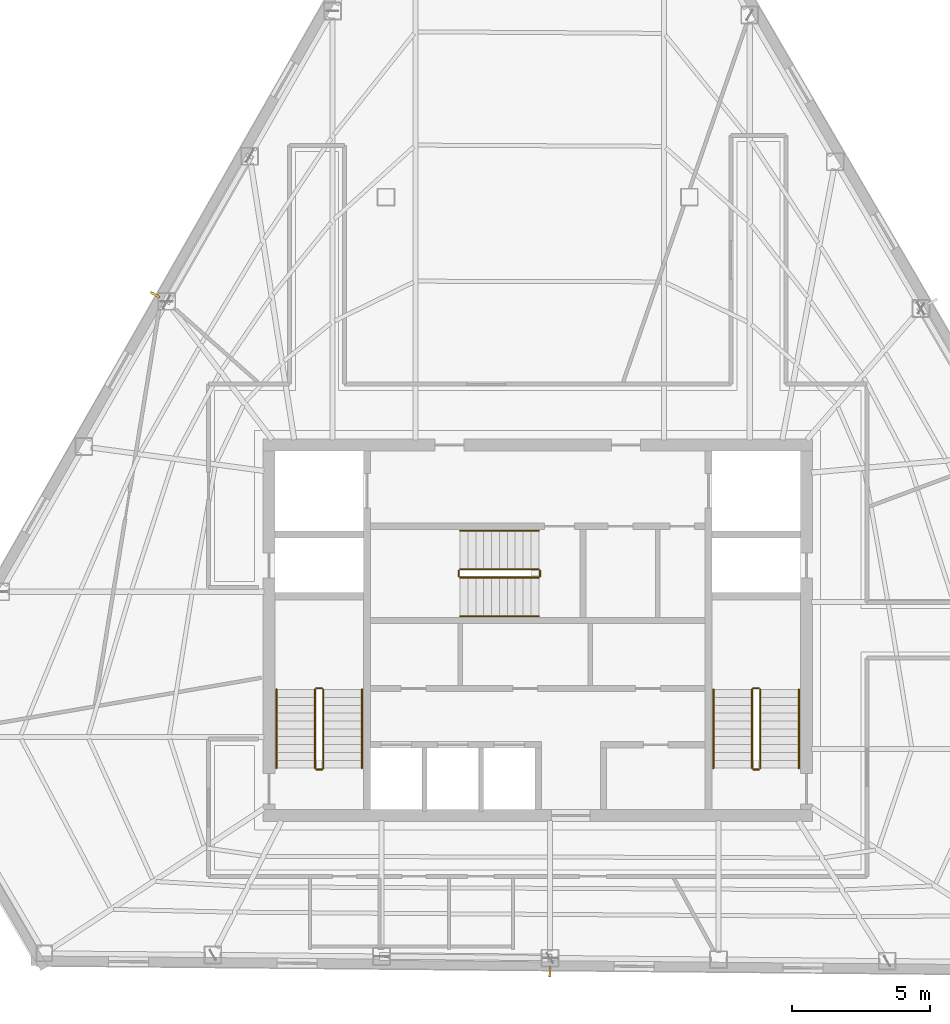
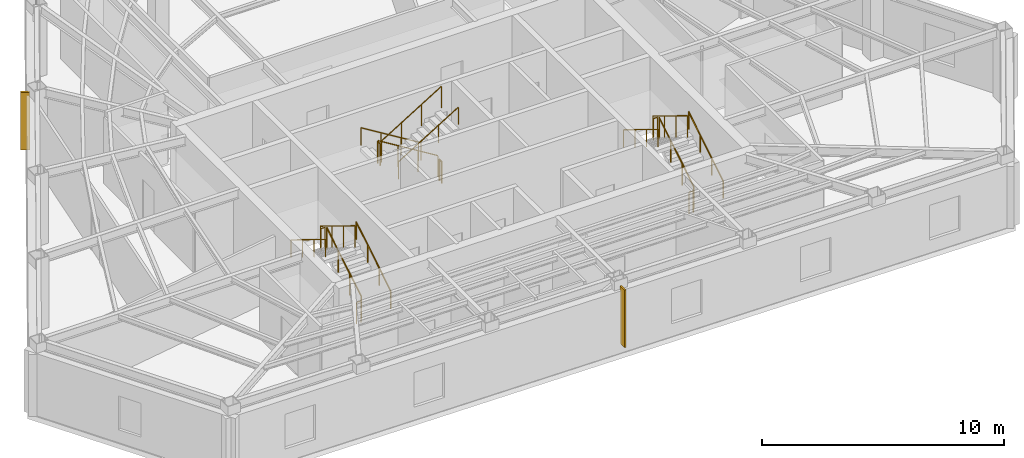
# One storey, part 10 of 11: 18 railings, 2 shading devices.
"""IFC4 building model written with IfcOpenShell, lengths in metres."""

from ifc_helpers import new_model, si_unit, direction, frame, origin, origin_2d, place, context, subcontext, project, spatial, rectangle, circle, extrude, material, layer, layer_set, type_object, element, save


model = new_model("IFC4")

# Units and contexts
model_context = context("Model", 3, precision=1e-05, world=origin(), true_north=direction((0.0, 1.0)))
body_context = subcontext(model_context, "Body", "Model", "MODEL_VIEW")
ifc_project = project(units=[si_unit("LENGTHUNIT", "METRE"), si_unit("AREAUNIT", "SQUARE_METRE"), si_unit("VOLUMEUNIT", "CUBIC_METRE"), si_unit("PLANEANGLEUNIT", "RADIAN"), si_unit("MASSUNIT", "GRAM", prefix="KILO")], contexts=[model_context])

# Site, building, storey
site_placement = place(None, origin())
site = spatial("IfcSite", under=ifc_project, at=site_placement, CompositionType="ELEMENT")
building_placement = place(site_placement, origin())
building = spatial("IfcBuilding", under=site, at=building_placement, Name="Kavelnor Concourse Tower", CompositionType="ELEMENT")
storey_placement = place(building_placement, frame((0.0, 0.0, 184.25)))
storey = spatial("IfcBuildingStorey", under=building, at=storey_placement, Name="L46", CompositionType="ELEMENT", Elevation=184.25)

# Railings
ifc_material_1 = material(Name="Steel Grade 350", Category="steel")
railing_type_1 = type_object("IfcRailingType", Name="RLG-GUARD-1100", PredefinedType="GUARDRAIL", material=ifc_material_1)
railing_1_placement = place(storey_placement, frame((30.22998046875, 11.10009765625, 0.175048828125)))
element("IfcRailing", 1, at=railing_1_placement, inside=storey, type_object=railing_type_1, Name="L46 ST1 stair guard 1", PredefinedType="GUARDRAIL", context=body_context, shape_type="SweptSolid", body=[
    extrude(circle(Radius=0.02392578125, at=origin_2d()), frame((0.0, 0.0, 1.076171875), z_axis=(0.0, 0.852159232446, 0.523282564737), x_axis=(-1.0, 0.0, 0.0)), (0.0, 0.0, 1.0), 3.34423828125),
    extrude(circle(Radius=0.02099609375, at=origin_2d()), origin(), (0.0, 0.0, 1.0), 1.052001953125),
    extrude(circle(Radius=0.02099609375, at=origin_2d()), frame((0.0, 0.949951171875, 0.583251953125)), (0.0, 0.0, 1.0), 1.052001953125),
    extrude(circle(Radius=0.02099609375, at=origin_2d()), frame((0.0, 1.89990234375, 1.166748046875)), (0.0, 0.0, 1.0), 1.052001953125),
    extrude(circle(Radius=0.02099609375, at=origin_2d()), frame((0.0, 2.849853515625, 1.75)), (0.0, 0.0, 1.0), 1.052001953125),
])
railing_2_placement = place(storey_placement, frame((30.179931640625, 14.0, 1.925048828125)))
element("IfcRailing", 2, at=railing_2_placement, inside=storey, type_object=railing_type_1, Name="L46 ST1 stair guard 2", PredefinedType="GUARDRAIL", context=body_context, shape_type="SweptSolid", body=[
    extrude(circle(Radius=0.02392578125, at=origin_2d()), frame((0.0, 0.0, 1.076171875), z_axis=(-1.0, 0.0, 0.0), x_axis=(0.0, -1.0, 0.0)), (0.0, 0.0, 1.0), 0.199951171875),
    extrude(circle(Radius=0.02099609375, at=origin_2d()), origin(), (0.0, 0.0, 1.0), 1.052001953125),
    extrude(circle(Radius=0.02099609375, at=origin_2d()), frame((-0.199951171875, 0.0, 0.0)), (0.0, 0.0, 1.0), 1.052001953125),
])
railing_3_placement = place(storey_placement, frame((29.929931640625, 13.949951171875, 2.10009765625)))
element("IfcRailing", 3, at=railing_3_placement, inside=storey, type_object=railing_type_1, Name="L46 ST1 stair guard 3", PredefinedType="GUARDRAIL", context=body_context, shape_type="SweptSolid", body=[
    extrude(circle(Radius=0.02392578125, at=origin_2d()), frame((0.0, 0.0, 1.076171875), z_axis=(0.0, -0.852159232446, 0.523282564737), x_axis=(1.0, 0.0, 0.0)), (0.0, 0.0, 1.0), 3.34423828125),
    extrude(circle(Radius=0.02099609375, at=origin_2d()), origin(), (0.0, 0.0, 1.0), 1.052001953125),
    extrude(circle(Radius=0.02099609375, at=origin_2d()), frame((0.0, -0.949951171875, 0.583251953125)), (0.0, 0.0, 1.0), 1.052001953125),
    extrude(circle(Radius=0.02099609375, at=origin_2d()), frame((0.0, -1.89990234375, 1.166748046875)), (0.0, 0.0, 1.0), 1.052001953125),
    extrude(circle(Radius=0.02099609375, at=origin_2d()), frame((0.0, -2.849853515625, 1.75)), (0.0, 0.0, 1.0), 1.052001953125),
])
railing_4_placement = place(storey_placement, frame((30.179931640625, 11.050048828125, 0.0)))
element("IfcRailing", 4, at=railing_4_placement, inside=storey, type_object=railing_type_1, Name="L46 ST1 stair guard 4", PredefinedType="GUARDRAIL", context=body_context, shape_type="SweptSolid", body=[
    extrude(circle(Radius=0.02392578125, at=origin_2d()), frame((0.0, 0.0, 1.076171875), z_axis=(-1.0, 0.0, 0.0), x_axis=(0.0, -1.0, 0.0)), (0.0, 0.0, 1.0), 0.199951171875),
    extrude(circle(Radius=0.02099609375, at=origin_2d()), origin(), (0.0, 0.0, 1.0), 1.052001953125),
    extrude(circle(Radius=0.02099609375, at=origin_2d()), frame((-0.199951171875, 0.0, 0.0)), (0.0, 0.0, 1.0), 1.052001953125),
])
railing_5_placement = place(storey_placement, frame((46.070068359375, 11.10009765625, 0.175048828125)))
element("IfcRailing", 5, at=railing_5_placement, inside=storey, type_object=railing_type_1, Name="L46 ST2 stair guard 1", PredefinedType="GUARDRAIL", context=body_context, shape_type="SweptSolid", body=[
    extrude(circle(Radius=0.02392578125, at=origin_2d()), frame((0.0, 0.0, 1.076171875), z_axis=(0.0, 0.852159232446, 0.523282564737), x_axis=(-1.0, 0.0, 0.0)), (0.0, 0.0, 1.0), 3.34423828125),
    extrude(circle(Radius=0.02099609375, at=origin_2d()), origin(), (0.0, 0.0, 1.0), 1.052001953125),
    extrude(circle(Radius=0.02099609375, at=origin_2d()), frame((0.0, 0.949951171875, 0.583251953125)), (0.0, 0.0, 1.0), 1.052001953125),
    extrude(circle(Radius=0.02099609375, at=origin_2d()), frame((0.0, 1.89990234375, 1.166748046875)), (0.0, 0.0, 1.0), 1.052001953125),
    extrude(circle(Radius=0.02099609375, at=origin_2d()), frame((0.0, 2.849853515625, 1.75)), (0.0, 0.0, 1.0), 1.052001953125),
])
railing_6_placement = place(storey_placement, frame((46.02001953125, 14.0, 1.925048828125)))
element("IfcRailing", 6, at=railing_6_placement, inside=storey, type_object=railing_type_1, Name="L46 ST2 stair guard 2", PredefinedType="GUARDRAIL", context=body_context, shape_type="SweptSolid", body=[
    extrude(circle(Radius=0.02392578125, at=origin_2d()), frame((0.0, 0.0, 1.076171875), z_axis=(-1.0, 0.0, 0.0), x_axis=(0.0, -1.0, 0.0)), (0.0, 0.0, 1.0), 0.199951171875),
    extrude(circle(Radius=0.02099609375, at=origin_2d()), origin(), (0.0, 0.0, 1.0), 1.052001953125),
    extrude(circle(Radius=0.02099609375, at=origin_2d()), frame((-0.199951171875, 0.0, 0.0)), (0.0, 0.0, 1.0), 1.052001953125),
])
railing_7_placement = place(storey_placement, frame((45.77001953125, 13.949951171875, 2.10009765625)))
element("IfcRailing", 7, at=railing_7_placement, inside=storey, type_object=railing_type_1, Name="L46 ST2 stair guard 3", PredefinedType="GUARDRAIL", context=body_context, shape_type="SweptSolid", body=[
    extrude(circle(Radius=0.02392578125, at=origin_2d()), frame((0.0, 0.0, 1.076171875), z_axis=(0.0, -0.852159232446, 0.523282564737), x_axis=(1.0, 0.0, 0.0)), (0.0, 0.0, 1.0), 3.34423828125),
    extrude(circle(Radius=0.02099609375, at=origin_2d()), origin(), (0.0, 0.0, 1.0), 1.052001953125),
    extrude(circle(Radius=0.02099609375, at=origin_2d()), frame((0.0, -0.949951171875, 0.583251953125)), (0.0, 0.0, 1.0), 1.052001953125),
    extrude(circle(Radius=0.02099609375, at=origin_2d()), frame((0.0, -1.89990234375, 1.166748046875)), (0.0, 0.0, 1.0), 1.052001953125),
    extrude(circle(Radius=0.02099609375, at=origin_2d()), frame((0.0, -2.849853515625, 1.75)), (0.0, 0.0, 1.0), 1.052001953125),
])
railing_8_placement = place(storey_placement, frame((46.02001953125, 11.050048828125, 0.0)))
element("IfcRailing", 8, at=railing_8_placement, inside=storey, type_object=railing_type_1, Name="L46 ST2 stair guard 4", PredefinedType="GUARDRAIL", context=body_context, shape_type="SweptSolid", body=[
    extrude(circle(Radius=0.02392578125, at=origin_2d()), frame((0.0, 0.0, 1.076171875), z_axis=(-1.0, 0.0, 0.0), x_axis=(0.0, -1.0, 0.0)), (0.0, 0.0, 1.0), 0.199951171875),
    extrude(circle(Radius=0.02099609375, at=origin_2d()), origin(), (0.0, 0.0, 1.0), 1.052001953125),
    extrude(circle(Radius=0.02099609375, at=origin_2d()), frame((-0.199951171875, 0.0, 0.0)), (0.0, 0.0, 1.0), 1.052001953125),
])
railing_9_placement = place(storey_placement, frame((38.0400390625, 18.31005859375, 0.175048828125)))
element("IfcRailing", 9, at=railing_9_placement, inside=storey, type_object=railing_type_1, Name="L46 ST3 stair guard 1", PredefinedType="GUARDRAIL", context=body_context, shape_type="SweptSolid", body=[
    extrude(circle(Radius=0.02392578125, at=origin_2d()), frame((0.0, 0.0, 1.076171875), z_axis=(-0.852179220489, 0.0, 0.52325001306), x_axis=(0.0, -1.0, 0.0)), (0.0, 0.0, 1.0), 3.344482421875),
    extrude(circle(Radius=0.02099609375, at=origin_2d()), origin(), (0.0, 0.0, 1.0), 1.052001953125),
    extrude(circle(Radius=0.02099609375, at=origin_2d()), frame((-0.949951171875, 0.0, 0.583251953125)), (0.0, 0.0, 1.0), 1.052001953125),
    extrude(circle(Radius=0.02099609375, at=origin_2d()), frame((-1.900146484375, 0.0, 1.166748046875)), (0.0, 0.0, 1.0), 1.052001953125),
    extrude(circle(Radius=0.02099609375, at=origin_2d()), frame((-2.85009765625, 0.0, 1.75)), (0.0, 0.0, 1.0), 1.052001953125),
])
railing_10_placement = place(storey_placement, frame((35.139892578125, 18.260009765625, 1.925048828125)))
element("IfcRailing", 10, at=railing_10_placement, inside=storey, type_object=railing_type_1, Name="L46 ST3 stair guard 2", PredefinedType="GUARDRAIL", context=body_context, shape_type="SweptSolid", body=[
    extrude(circle(Radius=0.02392578125, at=origin_2d()), frame((0.0, 0.0, 1.076171875), z_axis=(0.0, -1.0, 0.0), x_axis=(1.0, 0.0, 0.0)), (0.0, 0.0, 1.0), 0.199951171875),
    extrude(circle(Radius=0.02099609375, at=origin_2d()), origin(), (0.0, 0.0, 1.0), 1.052001953125),
    extrude(circle(Radius=0.02099609375, at=origin_2d()), frame((0.0, -0.199951171875, 0.0)), (0.0, 0.0, 1.0), 1.052001953125),
])
railing_11_placement = place(storey_placement, frame((35.18994140625, 18.010009765625, 2.10009765625)))
element("IfcRailing", 11, at=railing_11_placement, inside=storey, type_object=railing_type_1, Name="L46 ST3 stair guard 3", PredefinedType="GUARDRAIL", context=body_context, shape_type="SweptSolid", body=[
    extrude(circle(Radius=0.02392578125, at=origin_2d()), frame((0.0, 0.0, 1.076171875), z_axis=(0.852179220489, 0.0, 0.52325001306), x_axis=(0.0, 1.0, 0.0)), (0.0, 0.0, 1.0), 3.344482421875),
    extrude(circle(Radius=0.02099609375, at=origin_2d()), origin(), (0.0, 0.0, 1.0), 1.052001953125),
    extrude(circle(Radius=0.02099609375, at=origin_2d()), frame((0.949951171875, 0.0, 0.583251953125)), (0.0, 0.0, 1.0), 1.052001953125),
    extrude(circle(Radius=0.02099609375, at=origin_2d()), frame((1.900146484375, 0.0, 1.166748046875)), (0.0, 0.0, 1.0), 1.052001953125),
    extrude(circle(Radius=0.02099609375, at=origin_2d()), frame((2.85009765625, 0.0, 1.75)), (0.0, 0.0, 1.0), 1.052001953125),
])
railing_12_placement = place(storey_placement, frame((38.090087890625, 18.260009765625, 0.0)))
element("IfcRailing", 12, at=railing_12_placement, inside=storey, type_object=railing_type_1, Name="L46 ST3 stair guard 4", PredefinedType="GUARDRAIL", context=body_context, shape_type="SweptSolid", body=[
    extrude(circle(Radius=0.02392578125, at=origin_2d()), frame((0.0, 0.0, 1.076171875), z_axis=(0.0, -1.0, 0.0), x_axis=(1.0, 0.0, 0.0)), (0.0, 0.0, 1.0), 0.199951171875),
    extrude(circle(Radius=0.02099609375, at=origin_2d()), origin(), (0.0, 0.0, 1.0), 1.052001953125),
    extrude(circle(Radius=0.02099609375, at=origin_2d()), frame((0.0, -0.199951171875, 0.0)), (0.0, 0.0, 1.0), 1.052001953125),
])
railing_type_2 = type_object("IfcRailingType", Name="RLG-HANDRAIL-900", PredefinedType="HANDRAIL", material=ifc_material_1)
railing_13_placement = place(storey_placement, frame((31.6298828125, 11.10009765625, 0.175048828125)))
element("IfcRailing", 13, at=railing_13_placement, inside=storey, type_object=railing_type_2, Name="L46 ST1 stair handrail 1", PredefinedType="HANDRAIL", context=body_context, shape_type="SweptSolid", body=[
    extrude(circle(Radius=0.02392578125, at=origin_2d()), frame((0.0, 0.0, 0.8759765625), z_axis=(0.0, 0.852159232446, 0.523282564737), x_axis=(-1.0, 0.0, 0.0)), (0.0, 0.0, 1.0), 3.34423828125),
    extrude(circle(Radius=0.02099609375, at=origin_2d()), origin(), (0.0, 0.0, 1.0), 0.851806640625),
    extrude(circle(Radius=0.02099609375, at=origin_2d()), frame((0.0, 0.949951171875, 0.583251953125)), (0.0, 0.0, 1.0), 0.851806640625),
    extrude(circle(Radius=0.02099609375, at=origin_2d()), frame((0.0, 1.89990234375, 1.166748046875)), (0.0, 0.0, 1.0), 0.851806640625),
    extrude(circle(Radius=0.02099609375, at=origin_2d()), frame((0.0, 2.849853515625, 1.75)), (0.0, 0.0, 1.0), 0.851806640625),
])
railing_14_placement = place(storey_placement, frame((28.530029296875, 13.949951171875, 2.10009765625)))
element("IfcRailing", 14, at=railing_14_placement, inside=storey, type_object=railing_type_2, Name="L46 ST1 stair handrail 2", PredefinedType="HANDRAIL", context=body_context, shape_type="SweptSolid", body=[
    extrude(circle(Radius=0.02392578125, at=origin_2d()), frame((0.0, 0.0, 0.8759765625), z_axis=(0.0, -0.852159232446, 0.523282564737), x_axis=(1.0, 0.0, 0.0)), (0.0, 0.0, 1.0), 3.34423828125),
    extrude(circle(Radius=0.02099609375, at=origin_2d()), origin(), (0.0, 0.0, 1.0), 0.851806640625),
    extrude(circle(Radius=0.02099609375, at=origin_2d()), frame((0.0, -0.949951171875, 0.583251953125)), (0.0, 0.0, 1.0), 0.851806640625),
    extrude(circle(Radius=0.02099609375, at=origin_2d()), frame((0.0, -1.89990234375, 1.166748046875)), (0.0, 0.0, 1.0), 0.851806640625),
    extrude(circle(Radius=0.02099609375, at=origin_2d()), frame((0.0, -2.849853515625, 1.75)), (0.0, 0.0, 1.0), 0.851806640625),
])
railing_15_placement = place(storey_placement, frame((47.469970703125, 11.10009765625, 0.175048828125)))
element("IfcRailing", 15, at=railing_15_placement, inside=storey, type_object=railing_type_2, Name="L46 ST2 stair handrail 1", PredefinedType="HANDRAIL", context=body_context, shape_type="SweptSolid", body=[
    extrude(circle(Radius=0.02392578125, at=origin_2d()), frame((0.0, 0.0, 0.8759765625), z_axis=(0.0, 0.852159232446, 0.523282564737), x_axis=(-1.0, 0.0, 0.0)), (0.0, 0.0, 1.0), 3.34423828125),
    extrude(circle(Radius=0.02099609375, at=origin_2d()), origin(), (0.0, 0.0, 1.0), 0.851806640625),
    extrude(circle(Radius=0.02099609375, at=origin_2d()), frame((0.0, 0.949951171875, 0.583251953125)), (0.0, 0.0, 1.0), 0.851806640625),
    extrude(circle(Radius=0.02099609375, at=origin_2d()), frame((0.0, 1.89990234375, 1.166748046875)), (0.0, 0.0, 1.0), 0.851806640625),
    extrude(circle(Radius=0.02099609375, at=origin_2d()), frame((0.0, 2.849853515625, 1.75)), (0.0, 0.0, 1.0), 0.851806640625),
])
railing_16_placement = place(storey_placement, frame((44.3701171875, 13.949951171875, 2.10009765625)))
element("IfcRailing", 16, at=railing_16_placement, inside=storey, type_object=railing_type_2, Name="L46 ST2 stair handrail 2", PredefinedType="HANDRAIL", context=body_context, shape_type="SweptSolid", body=[
    extrude(circle(Radius=0.02392578125, at=origin_2d()), frame((0.0, 0.0, 0.8759765625), z_axis=(0.0, -0.852159232446, 0.523282564737), x_axis=(1.0, 0.0, 0.0)), (0.0, 0.0, 1.0), 3.34423828125),
    extrude(circle(Radius=0.02099609375, at=origin_2d()), origin(), (0.0, 0.0, 1.0), 0.851806640625),
    extrude(circle(Radius=0.02099609375, at=origin_2d()), frame((0.0, -0.949951171875, 0.583251953125)), (0.0, 0.0, 1.0), 0.851806640625),
    extrude(circle(Radius=0.02099609375, at=origin_2d()), frame((0.0, -1.89990234375, 1.166748046875)), (0.0, 0.0, 1.0), 0.851806640625),
    extrude(circle(Radius=0.02099609375, at=origin_2d()), frame((0.0, -2.849853515625, 1.75)), (0.0, 0.0, 1.0), 0.851806640625),
])
railing_17_placement = place(storey_placement, frame((38.0400390625, 19.7099609375, 0.175048828125)))
element("IfcRailing", 17, at=railing_17_placement, inside=storey, type_object=railing_type_2, Name="L46 ST3 stair handrail 1", PredefinedType="HANDRAIL", context=body_context, shape_type="SweptSolid", body=[
    extrude(circle(Radius=0.02392578125, at=origin_2d()), frame((0.0, 0.0, 0.8759765625), z_axis=(-0.852179220489, 0.0, 0.52325001306), x_axis=(0.0, -1.0, 0.0)), (0.0, 0.0, 1.0), 3.344482421875),
    extrude(circle(Radius=0.02099609375, at=origin_2d()), origin(), (0.0, 0.0, 1.0), 0.851806640625),
    extrude(circle(Radius=0.02099609375, at=origin_2d()), frame((-0.949951171875, 0.0, 0.583251953125)), (0.0, 0.0, 1.0), 0.851806640625),
    extrude(circle(Radius=0.02099609375, at=origin_2d()), frame((-1.900146484375, 0.0, 1.166748046875)), (0.0, 0.0, 1.0), 0.851806640625),
    extrude(circle(Radius=0.02099609375, at=origin_2d()), frame((-2.85009765625, 0.0, 1.75)), (0.0, 0.0, 1.0), 0.851806640625),
])
railing_18_placement = place(storey_placement, frame((35.18994140625, 16.610107421875, 2.10009765625)))
element("IfcRailing", 18, at=railing_18_placement, inside=storey, type_object=railing_type_2, Name="L46 ST3 stair handrail 2", PredefinedType="HANDRAIL", context=body_context, shape_type="SweptSolid", body=[
    extrude(circle(Radius=0.02392578125, at=origin_2d()), frame((0.0, 0.0, 0.8759765625), z_axis=(0.852179220489, 0.0, 0.52325001306), x_axis=(0.0, 1.0, 0.0)), (0.0, 0.0, 1.0), 3.344482421875),
    extrude(circle(Radius=0.02099609375, at=origin_2d()), origin(), (0.0, 0.0, 1.0), 0.851806640625),
    extrude(circle(Radius=0.02099609375, at=origin_2d()), frame((0.949951171875, 0.0, 0.583251953125)), (0.0, 0.0, 1.0), 0.851806640625),
    extrude(circle(Radius=0.02099609375, at=origin_2d()), frame((1.900146484375, 0.0, 1.166748046875)), (0.0, 0.0, 1.0), 0.851806640625),
    extrude(circle(Radius=0.02099609375, at=origin_2d()), frame((2.85009765625, 0.0, 1.75)), (0.0, 0.0, 1.0), 0.851806640625),
])

# Shading devices
ifc_material_2 = material(Name="Architectural bronze-anodised aluminium", Category="aluminium")
ifc_layer = layer(ifc_material_2, 0.06005859375, Name="Architectural bronze-anodised aluminium")
ifc_layer_set = layer_set([ifc_layer], Name="Architectural bronze-anodised aluminium")
shading_device_type = type_object("IfcShadingDeviceType", Name="SHD-SOLAR-FIN", PredefinedType="JALOUSIE", material=ifc_layer_set)
for number, where, z_axis, x_axis, name in (
    (19, (24.12841796875, 28.264404296875, 0.400146484375), (0.0, 0.0, 1.0), (-0.868285407383, 0.496064966839, 0.0), "L46 Bronze Pier Solar Fin F0"),
    (20, (38.44287109375, 3.725341796875, 0.400146484375), (0.0, 0.0, 1.0), (-0.009250113117, -0.999957216788, 0.0), "L46 Bronze Pier Solar Fin F1"),
):
    element("IfcShadingDevice", number, at=place(storey_placement, frame(where, z_axis=z_axis, x_axis=x_axis)), inside=storey, type_object=shading_device_type, Name=name, PredefinedType="JALOUSIE", context=body_context, shape_type="SweptSolid", body=[
        extrude(rectangle(XDim=0.3798828125, YDim=0.080078125, at=origin_2d()), origin(), (0.0, 0.0, 1.0), 2.89990234375),
    ])

save(model, "model.ifc")
